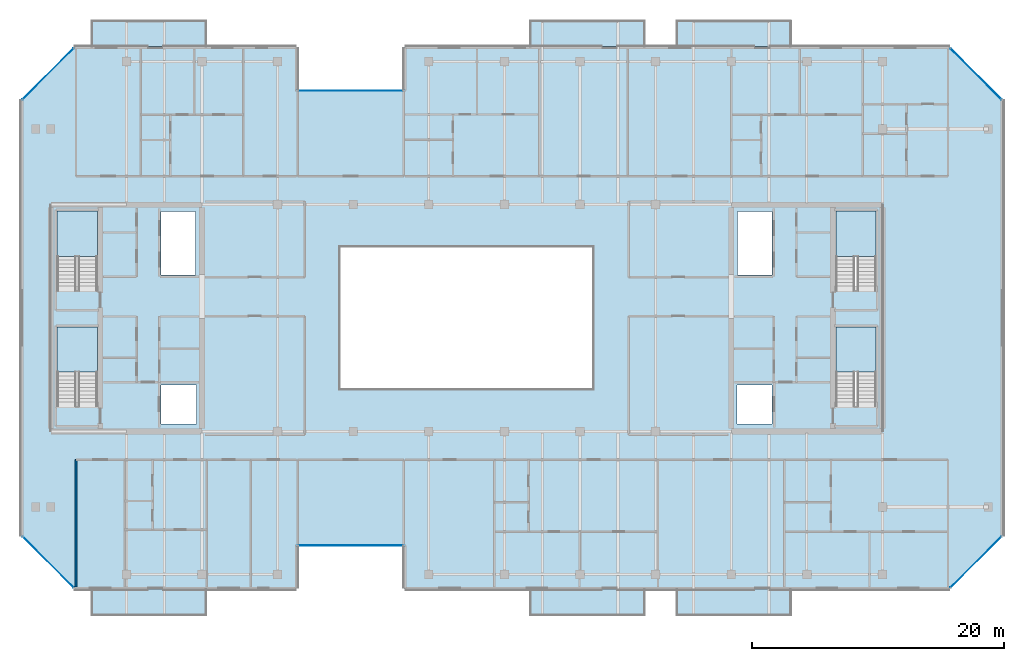
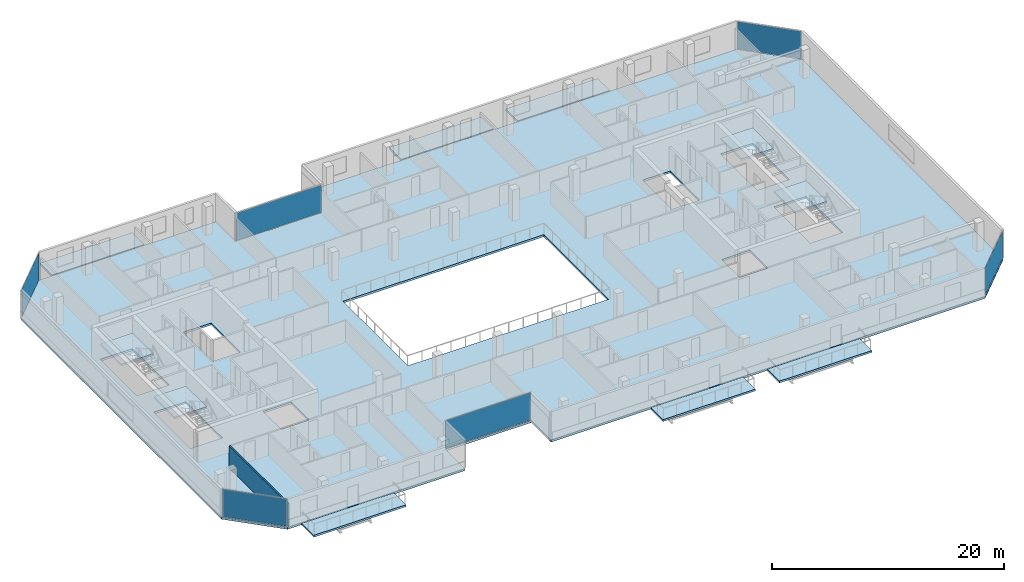
# One storey, part 13 of 24: 11 slabs, 6 plates, 1 wall, 10 elements without a shape of their own.
"""IFC4 building model written with IfcOpenShell, lengths in metres."""

from ifc_helpers import new_model, si_unit, direction, frame, frame_2d, origin, origin_2d, place, context, subcontext, project, spatial, polyline, rectangle, outline, extrude, material, layer, layer_set, type_object, element, aggregate, save


model = new_model("IFC4")

# Units and contexts
model_context = context("Model", 3, precision=1e-05, world=origin(), true_north=direction((0.0, 1.0)))
body_context = subcontext(model_context, "Body", "Model", "MODEL_VIEW")
ifc_project = project(units=[si_unit("LENGTHUNIT", "METRE"), si_unit("AREAUNIT", "SQUARE_METRE"), si_unit("VOLUMEUNIT", "CUBIC_METRE"), si_unit("PLANEANGLEUNIT", "RADIAN"), si_unit("MASSUNIT", "GRAM", prefix="KILO")], contexts=[model_context])

# Site, building, storey
site_placement = place(None, origin())
site = spatial("IfcSite", under=ifc_project, at=site_placement, CompositionType="ELEMENT")
building_placement = place(site_placement, origin())
building = spatial("IfcBuilding", under=site, at=building_placement, Name="Tanjung Sevakor Pilgrim Tower", CompositionType="ELEMENT")
storey_placement = place(building_placement, frame((0.0, 0.0, 226.050048828125)))
storey = spatial("IfcBuildingStorey", under=building, at=storey_placement, Name="L63", CompositionType="ELEMENT", Elevation=226.050048828125)

# Slabs
ifc_material_1 = material(Name="Concrete C40/50", Category="concrete")
ifc_layer_1 = layer(ifc_material_1, 0.199951171875)
ifc_layer_set_1 = layer_set([ifc_layer_1], Name="SL-BAL-200")
slab_type_1 = type_object("IfcSlabType", Name="SL-BAL-200", PredefinedType="FLOOR", material=ifc_layer_set_1)
slab_1_placement = place(storey_placement, frame((0.0, 0.0, -0.199951171875)))
element("IfcSlab", 1, at=slab_1_placement, inside=storey, type_object=slab_type_1, Name="L63 Planted Loggia Balcony MAIN-S1", PredefinedType="FLOOR", context=body_context, shape_type="SweptSolid", body=[
    extrude(outline(polyline([(27.199951171875, 9.949951171875), (36.39990234375, 9.949951171875), (36.39990234375, 12.050048828125), (27.199951171875, 12.050048828125), (27.199951171875, 9.949951171875)])), origin(), (0.0, 0.0, 1.0), 0.199951171875),
])
slab_2_placement = place(storey_placement, frame((0.0, 0.0, -0.199951171875)))
element("IfcSlab", 2, at=slab_2_placement, inside=storey, type_object=slab_type_1, Name="L63 Planted Loggia Balcony MAIN-N1", PredefinedType="FLOOR", context=body_context, shape_type="SweptSolid", body=[
    extrude(outline(polyline([(27.199951171875, 55.14990234375), (36.39990234375, 55.14990234375), (36.39990234375, 57.25), (27.199951171875, 57.25), (27.199951171875, 55.14990234375)])), origin(), (0.0, 0.0, 1.0), 0.199951171875),
])
slab_3_placement = place(storey_placement, frame((0.0, 0.0, -0.199951171875)))
element("IfcSlab", 3, at=slab_3_placement, inside=storey, type_object=slab_type_1, Name="L63 Planted Loggia Balcony MAIN-S2", PredefinedType="FLOOR", context=body_context, shape_type="SweptSolid", body=[
    extrude(outline(polyline([(62.0, 9.949951171875), (71.199951171875, 9.949951171875), (71.199951171875, 12.050048828125), (62.0, 12.050048828125), (62.0, 9.949951171875)])), origin(), (0.0, 0.0, 1.0), 0.199951171875),
])
slab_4_placement = place(storey_placement, frame((0.0, 0.0, -0.199951171875)))
element("IfcSlab", 4, at=slab_4_placement, inside=storey, type_object=slab_type_1, Name="L63 Planted Loggia Balcony MAIN-N2", PredefinedType="FLOOR", context=body_context, shape_type="SweptSolid", body=[
    extrude(outline(polyline([(62.0, 55.14990234375), (71.199951171875, 55.14990234375), (71.199951171875, 57.25), (62.0, 57.25), (62.0, 55.14990234375)])), origin(), (0.0, 0.0, 1.0), 0.199951171875),
])
slab_5_placement = place(storey_placement, frame((0.0, 0.0, -0.199951171875)))
element("IfcSlab", 5, at=slab_5_placement, inside=storey, type_object=slab_type_1, Name="L63 Planted Loggia Balcony MAIN-S3", PredefinedType="FLOOR", context=body_context, shape_type="SweptSolid", body=[
    extrude(outline(polyline([(73.60009765625, 9.949951171875), (82.800048828125, 9.949951171875), (82.800048828125, 12.050048828125), (73.60009765625, 12.050048828125), (73.60009765625, 9.949951171875)])), origin(), (0.0, 0.0, 1.0), 0.199951171875),
])
slab_6_placement = place(storey_placement, frame((0.0, 0.0, -0.199951171875)))
element("IfcSlab", 6, at=slab_6_placement, inside=storey, type_object=slab_type_1, Name="L63 Planted Loggia Balcony MAIN-N3", PredefinedType="FLOOR", context=body_context, shape_type="SweptSolid", body=[
    extrude(outline(polyline([(73.60009765625, 55.14990234375), (82.800048828125, 55.14990234375), (82.800048828125, 57.25), (73.60009765625, 57.25), (73.60009765625, 55.14990234375)])), origin(), (0.0, 0.0, 1.0), 0.199951171875),
])

# Stair, slab
ifc_material_2 = material(Name="Concrete C40/50", Category="concrete")
stair_type = type_object("IfcStairType", Name="STAIR-ST-CR150", PredefinedType="HALF_TURN_STAIR", material=ifc_material_2)
stair_1_placement = place(storey_placement, origin())
stair_1 = element("IfcStair", 7, at=stair_1_placement, inside=storey, type_object=stair_type, Name="L63 West Core Exit Stair 1", PredefinedType="HALF_TURN_STAIR")
ifc_material_3 = material(Name="Concrete C40/50", Category="concrete")
ifc_layer_2 = layer(ifc_material_3, 0.199951171875)
ifc_layer_set_2 = layer_set([ifc_layer_2], Name="SL-LAND-200")
slab_type_2 = type_object("IfcSlabType", Name="SL-LAND-200", PredefinedType="LANDING", material=ifc_layer_set_2)
slab_7_placement = place(storey_placement, frame((0.0, 0.0, 1.449951171875)))
slab_7 = element("IfcSlab", 8, at=slab_7_placement, type_object=slab_type_2, Name="TS-W1 landing 1", PredefinedType="LANDING", context=body_context, shape_type="SweptSolid", body=[
    extrude(outline(polyline([(27.699951171875, 29.300048828125), (27.699951171875, 32.89990234375), (24.5, 32.89990234375), (24.5, 29.300048828125), (27.699951171875, 29.300048828125)])), origin(), (0.0, 0.0, 1.0), 0.199951171875),
])
aggregate(stair_1, [slab_7])

stair_2_placement = place(storey_placement, origin())
stair_2 = element("IfcStair", 9, at=stair_2_placement, inside=storey, type_object=stair_type, Name="L63 West Core Exit Stair 2", PredefinedType="HALF_TURN_STAIR")
slab_8_placement = place(storey_placement, frame((0.0, 0.0, 1.449951171875)))
slab_8 = element("IfcSlab", 10, at=slab_8_placement, type_object=slab_type_2, Name="TS-W2 landing 1", PredefinedType="LANDING", context=body_context, shape_type="SweptSolid", body=[
    extrude(outline(polyline([(27.699951171875, 38.5), (27.699951171875, 42.10009765625), (24.5, 42.10009765625), (24.5, 38.5), (27.699951171875, 38.5)])), origin(), (0.0, 0.0, 1.0), 0.199951171875),
])
aggregate(stair_2, [slab_8])

stair_3_placement = place(storey_placement, origin())
stair_3 = element("IfcStair", 11, at=stair_3_placement, inside=storey, type_object=stair_type, Name="L63 East Core Exit Stair 1", PredefinedType="HALF_TURN_STAIR")
slab_9_placement = place(storey_placement, frame((0.0, 0.0, 1.449951171875)))
slab_9 = element("IfcSlab", 12, at=slab_9_placement, type_object=slab_type_2, Name="TS-E1 landing 1", PredefinedType="LANDING", context=body_context, shape_type="SweptSolid", body=[
    extrude(outline(polyline([(89.5, 29.300048828125), (89.5, 32.89990234375), (86.300048828125, 32.89990234375), (86.300048828125, 29.300048828125), (89.5, 29.300048828125)])), origin(), (0.0, 0.0, 1.0), 0.199951171875),
])
aggregate(stair_3, [slab_9])

stair_4_placement = place(storey_placement, origin())
stair_4 = element("IfcStair", 13, at=stair_4_placement, inside=storey, type_object=stair_type, Name="L63 East Core Exit Stair 2", PredefinedType="HALF_TURN_STAIR")
slab_10_placement = place(storey_placement, frame((0.0, 0.0, 1.449951171875)))
slab_10 = element("IfcSlab", 14, at=slab_10_placement, type_object=slab_type_2, Name="TS-E2 landing 1", PredefinedType="LANDING", context=body_context, shape_type="SweptSolid", body=[
    extrude(outline(polyline([(89.5, 38.5), (89.5, 42.10009765625), (86.300048828125, 42.10009765625), (86.300048828125, 38.5), (89.5, 38.5)])), origin(), (0.0, 0.0, 1.0), 0.199951171875),
])
aggregate(stair_4, [slab_10])

# Slab
ifc_material_4 = material(Name="Concrete C40/50", Category="concrete")
ifc_layer_3 = layer(ifc_material_4, 0.219970703125)
ifc_layer_set_3 = layer_set([ifc_layer_3], Name="SL-TWR-220")
slab_type_3 = type_object("IfcSlabType", Name="SL-TWR-220", PredefinedType="FLOOR", material=ifc_layer_set_3)
slab_11_placement = place(storey_placement, frame((0.0, 0.0, -0.219970703125)))
element("IfcSlab", 15, at=slab_11_placement, inside=storey, type_object=slab_type_3, Name="L63 Floor Slab MAIN", PredefinedType="FLOOR", context=body_context, shape_type="SweptSolid", body=[
    extrude(outline(polyline([(25.846923828125, 12.1298828125), (43.52001953125, 12.1298828125), (43.52001953125, 15.530029296875), (52.080078125, 15.530029296875), (52.080078125, 12.1298828125), (95.35302734375, 12.1298828125), (99.52001953125, 16.296875), (99.52001953125, 50.903076171875), (95.35302734375, 55.070068359375), (52.080078125, 55.070068359375), (52.080078125, 51.669921875), (43.52001953125, 51.669921875), (43.52001953125, 55.070068359375), (25.846923828125, 55.070068359375), (21.679931640625, 50.903076171875), (21.679931640625, 16.296875), (25.846923828125, 12.1298828125)]), holes=[polyline([(27.699951171875, 26.60009765625), (27.699951171875, 32.89990234375), (24.5, 32.89990234375), (24.5, 26.60009765625), (27.699951171875, 26.60009765625)]), polyline([(27.699951171875, 35.800048828125), (27.699951171875, 42.10009765625), (24.5, 42.10009765625), (24.5, 35.800048828125), (27.699951171875, 35.800048828125)]), polyline([(89.5, 26.60009765625), (89.5, 32.89990234375), (86.300048828125, 32.89990234375), (86.300048828125, 26.60009765625), (89.5, 26.60009765625)]), polyline([(89.5, 35.800048828125), (89.5, 42.10009765625), (86.300048828125, 42.10009765625), (86.300048828125, 35.800048828125), (89.5, 35.800048828125)]), polyline([(32.75, 25.199951171875), (35.550048828125, 25.199951171875), (35.550048828125, 28.300048828125), (32.75, 28.300048828125), (32.75, 25.199951171875)]), polyline([(32.75, 37.0), (35.5, 37.0), (35.5, 42.050048828125), (32.75, 42.050048828125), (32.75, 37.0)]), polyline([(78.449951171875, 25.199951171875), (81.25, 25.199951171875), (81.25, 28.300048828125), (78.449951171875, 28.300048828125), (78.449951171875, 25.199951171875)]), polyline([(78.5, 37.0), (81.25, 37.0), (81.25, 42.050048828125), (78.5, 42.050048828125), (78.5, 37.0)]), polyline([(47.0, 28.0), (67.0, 28.0), (67.0, 39.199951171875), (47.0, 39.199951171875), (47.0, 28.0)])]), origin(), (0.0, 0.0, 1.0), 0.219970703125),
])

# Curtain wall, plate
ifc_material_5 = material(Name="Aluminium 6063-T6 and Low-E Glass", Category="aluminium")
ifc_layer_4 = layer(ifc_material_5, 0.179931640625)
ifc_layer_set_4 = layer_set([ifc_layer_4], Name="CW-SYS-CLEFT")
curtain_wall_type_1 = type_object("IfcCurtainWallType", Name="CW-SYS-CLEFT", PredefinedType="NOTDEFINED", material=ifc_layer_set_4)
curtain_wall_1_placement = place(storey_placement, origin())
curtain_wall_1 = element("IfcCurtainWall", 16, at=curtain_wall_1_placement, inside=storey, type_object=curtain_wall_type_1, Name="L63 Curtain Wall CW-CLF-L63-2", PredefinedType="NOTDEFINED")
ifc_material_6 = material(Name="Laminated Low-E Double Glazing", Category="glass")
ifc_layer_5 = layer(ifc_material_6, 0.028076171875)
ifc_layer_set_5 = layer_set([ifc_layer_5], Name="TYPE-CWP-GLZ1")
plate_type = type_object("IfcPlateType", Name="TYPE-CWP-GLZ1", PredefinedType="CURTAIN_PANEL", material=ifc_layer_set_5)
plate_1_placement = place(storey_placement, frame((47.800048828125, 15.56005859375, 0.06494140625), z_axis=(0.0, 0.0, 1.0), x_axis=(1.0, 0.0, 0.0)))
plate_1 = element("IfcPlate", 17, at=plate_1_placement, type_object=plate_type, Name="CW-CLF panel 1.1", PredefinedType="CURTAIN_PANEL", context=body_context, shape_type="SweptSolid", body=[
    extrude(rectangle(XDim=8.469970703125, YDim=0.028076171875, at=origin_2d()), origin(), (0.0, 0.0, 1.0), 2.889892578125),
])
aggregate(curtain_wall_1, [plate_1])

ifc_material_7 = material(Name="Aluminium 6063-T6 and Low-E Glass", Category="aluminium")
ifc_layer_6 = layer(ifc_material_7, 0.179931640625)
ifc_layer_set_6 = layer_set([ifc_layer_6], Name="CW-SYS-CHAM")
curtain_wall_type_2 = type_object("IfcCurtainWallType", Name="CW-SYS-CHAM", PredefinedType="NOTDEFINED", material=ifc_layer_set_6)
curtain_wall_2_placement = place(storey_placement, origin())
curtain_wall_2 = element("IfcCurtainWall", 18, at=curtain_wall_2_placement, inside=storey, type_object=curtain_wall_type_2, Name="L63 Curtain Wall CW-CHM-L63-MAIN-5", PredefinedType="NOTDEFINED")
plate_2_placement = place(storey_placement, frame((97.422119140625, 14.227783203125, 0.06494140625), z_axis=(0.0, 0.0, 1.0), x_axis=(0.707106781187, 0.707106781187, 0.0)))
plate_2 = element("IfcPlate", 19, at=plate_2_placement, type_object=plate_type, Name="CW-CHM panel 1.1", PredefinedType="CURTAIN_PANEL", context=body_context, shape_type="SweptSolid", body=[
    extrude(rectangle(XDim=5.718505859375, YDim=0.028076171875, at=origin_2d()), origin(), (0.0, 0.0, 1.0), 2.889892578125),
])
aggregate(curtain_wall_2, [plate_2])

curtain_wall_3_placement = place(storey_placement, origin())
curtain_wall_3 = element("IfcCurtainWall", 20, at=curtain_wall_3_placement, inside=storey, type_object=curtain_wall_type_2, Name="L63 Curtain Wall CW-CHM-L63-MAIN-7", PredefinedType="NOTDEFINED")
plate_3_placement = place(storey_placement, frame((97.422119140625, 52.97216796875, 0.06494140625), z_axis=(0.0, 0.0, 1.0), x_axis=(-0.707106781187, 0.707106781187, 0.0)))
plate_3 = element("IfcPlate", 21, at=plate_3_placement, type_object=plate_type, Name="CW-CHM panel 1.1", PredefinedType="CURTAIN_PANEL", context=body_context, shape_type="SweptSolid", body=[
    extrude(rectangle(XDim=5.718505859375, YDim=0.028076171875, at=origin_2d()), origin(), (0.0, 0.0, 1.0), 2.889892578125),
])
aggregate(curtain_wall_3, [plate_3])

curtain_wall_4_placement = place(storey_placement, origin())
curtain_wall_4 = element("IfcCurtainWall", 22, at=curtain_wall_4_placement, inside=storey, type_object=curtain_wall_type_1, Name="L63 Curtain Wall CW-CLF-L63-10", PredefinedType="NOTDEFINED")
plate_4_placement = place(storey_placement, frame((47.800048828125, 51.639892578125, 0.06494140625), z_axis=(0.0, 0.0, 1.0), x_axis=(-1.0, 0.0, 0.0)))
plate_4 = element("IfcPlate", 23, at=plate_4_placement, type_object=plate_type, Name="CW-CLF panel 1.1", PredefinedType="CURTAIN_PANEL", context=body_context, shape_type="SweptSolid", body=[
    extrude(rectangle(XDim=8.469970703125, YDim=0.028076171875, at=origin_2d()), origin(), (0.0, 0.0, 1.0), 2.889892578125),
])
aggregate(curtain_wall_4, [plate_4])

curtain_wall_5_placement = place(storey_placement, origin())
curtain_wall_5 = element("IfcCurtainWall", 24, at=curtain_wall_5_placement, inside=storey, type_object=curtain_wall_type_2, Name="L63 Curtain Wall CW-CHM-L63-MAIN-13", PredefinedType="NOTDEFINED")
plate_5_placement = place(storey_placement, frame((23.77783203125, 52.97216796875, 0.06494140625), z_axis=(0.0, 0.0, 1.0), x_axis=(-0.707106781187, -0.707106781187, 0.0)))
plate_5 = element("IfcPlate", 25, at=plate_5_placement, type_object=plate_type, Name="CW-CHM panel 1.1", PredefinedType="CURTAIN_PANEL", context=body_context, shape_type="SweptSolid", body=[
    extrude(rectangle(XDim=5.718505859375, YDim=0.028076171875, at=origin_2d()), origin(), (0.0, 0.0, 1.0), 2.889892578125),
])
aggregate(curtain_wall_5, [plate_5])

curtain_wall_6_placement = place(storey_placement, origin())
curtain_wall_6 = element("IfcCurtainWall", 26, at=curtain_wall_6_placement, inside=storey, type_object=curtain_wall_type_2, Name="L63 Curtain Wall CW-CHM-L63-MAIN-15", PredefinedType="NOTDEFINED")
plate_6_placement = place(storey_placement, frame((23.77783203125, 14.227783203125, 0.06494140625), z_axis=(0.0, 0.0, 1.0), x_axis=(0.707106781187, -0.707106781187, 0.0)))
plate_6 = element("IfcPlate", 27, at=plate_6_placement, type_object=plate_type, Name="CW-CHM panel 1.1", PredefinedType="CURTAIN_PANEL", context=body_context, shape_type="SweptSolid", body=[
    extrude(rectangle(XDim=5.718505859375, YDim=0.028076171875, at=origin_2d()), origin(), (0.0, 0.0, 1.0), 2.889892578125),
])
aggregate(curtain_wall_6, [plate_6])

# Wall
ifc_material_8 = material(Name="Concrete C40/50", Category="concrete")
ifc_layer_7 = layer(ifc_material_8, 0.14990234375)
ifc_layer_set_7 = layer_set([ifc_layer_7], Name="WT-COMP-150")
wall_type = type_object("IfcWallType", Name="WT-COMP-150", PredefinedType="SOLIDWALL", material=ifc_layer_set_7)
wall_placement = place(storey_placement, frame((26.0, 12.27001953125, 0.0), z_axis=(0.0, 0.0, 1.0), x_axis=(0.0, 1.0, 0.0)))
element("IfcWall", 28, at=wall_placement, inside=storey, type_object=wall_type, Name="L63 Partition IW-L63-045", PredefinedType="SOLIDWALL", context=body_context, shape_type="SweptSolid", body=[
    extrude(rectangle(XDim=10.080078125, YDim=0.14990234375, at=frame_2d((5.0400390625, 0.0))), origin(), (0.0, 0.0, 1.0), 2.35009765625),
])

save(model, "model.ifc")
